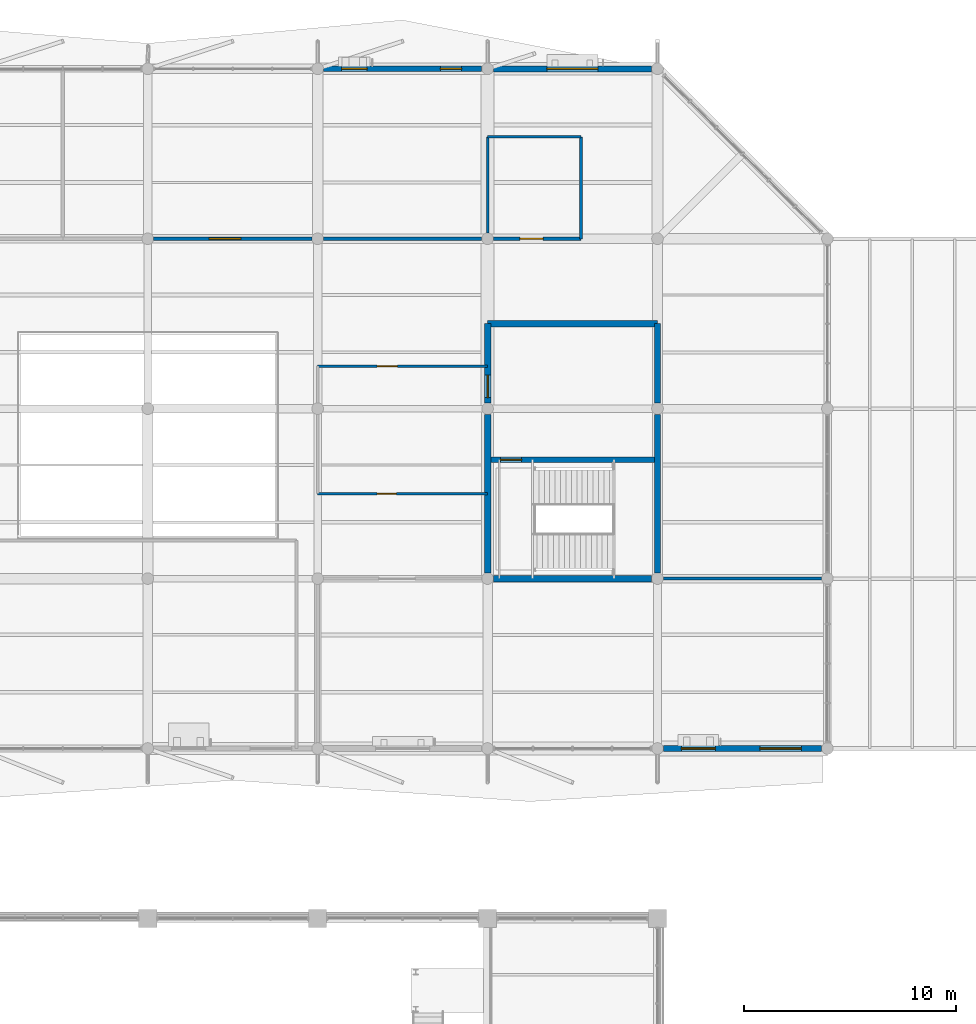
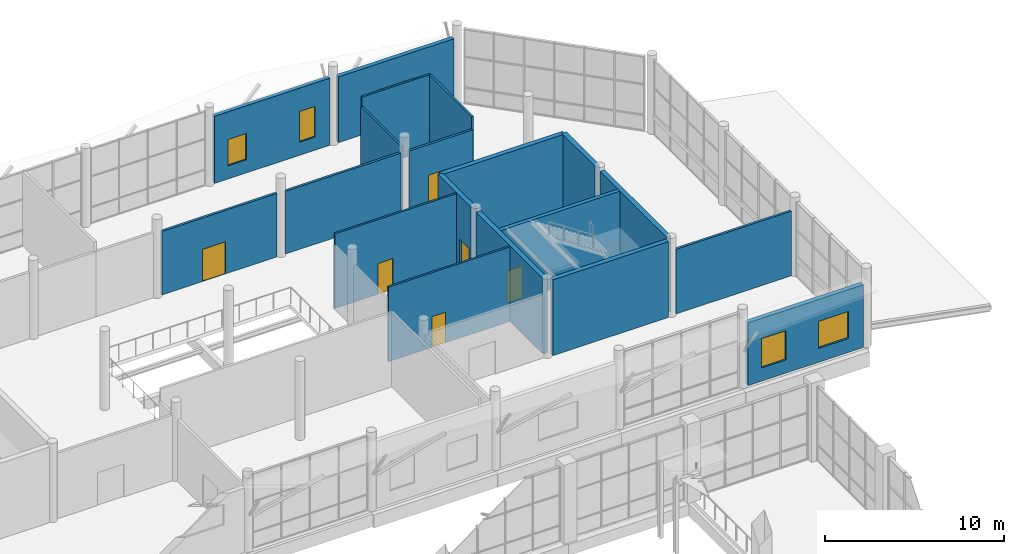
# One storey, part 111 of 122: 19 walls, 6 doors, 5 windows, 11 openings.
"""IFC4 building model written with IfcOpenShell, lengths in metres."""

from ifc_helpers import new_model, si_unit, direction, frame, frame_2d, origin, place, context, subcontext, project, spatial, rectangle, extrude, material, layer, layer_set, type_object, element, fill, save


model = new_model("IFC4")

# Units and contexts
model_context = context("Model", 3, precision=1e-05, world=origin(), true_north=direction((0.0, 1.0)))
body_context = subcontext(model_context, "Body", "Model", "MODEL_VIEW")
ifc_project = project(units=[si_unit("LENGTHUNIT", "METRE"), si_unit("AREAUNIT", "SQUARE_METRE"), si_unit("VOLUMEUNIT", "CUBIC_METRE"), si_unit("PLANEANGLEUNIT", "RADIAN"), si_unit("MASSUNIT", "GRAM", prefix="KILO")], contexts=[model_context])

# Site, building, storey
site_placement = place(None, origin())
site = spatial("IfcSite", under=ifc_project, at=site_placement, CompositionType="ELEMENT")
building_placement = place(site_placement, origin())
building = spatial("IfcBuilding", under=site, at=building_placement, Name="Tenunan Teduh Sports Hall", CompositionType="ELEMENT")
storey_placement = place(building_placement, frame((0.0, 0.0, 5.39990234375)))
storey = spatial("IfcBuildingStorey", under=building, at=storey_placement, Name="L01", CompositionType="ELEMENT", Elevation=5.39990234375)

# Wall, opening, door
ifc_material_1 = material(Name="Concrete C40/50", Category="concrete")
ifc_layer_1 = layer(ifc_material_1, 0.25)
ifc_layer_set_1 = layer_set([ifc_layer_1], Name="Concrete C40/50")
wall_type_1 = type_object("IfcWallType", Name="WL-COR-250", PredefinedType="SOLIDWALL", material=ifc_layer_set_1)
wall_1_placement = place(storey_placement, frame((146.14990234375, 99.60009765625, 0.0), z_axis=(0.0, 0.0, 1.0), x_axis=(1.0, 0.0, 0.0)))
wall_1 = element("IfcWall", 1, at=wall_1_placement, inside=storey, type_object=wall_type_1, Name="WL-COR-L01-210", PredefinedType="SOLIDWALL", context=body_context, shape_type="SweptSolid", body=[
    extrude(rectangle(XDim=7.7001953125, YDim=0.25, at=frame_2d((3.85009765625, 0.0))), origin(), (0.0, 0.0, 1.0), 5.18017578125),
])
opening_1_placement = place(wall_1_placement, frame((0.449951171875, 0.0, 0.0)))
opening_1 = element("IfcOpeningElement", 2, at=opening_1_placement, cuts=wall_1, Name="Opening FD-01", PredefinedType="OPENING", context=body_context, shape_type="SweptSolid", body=[
    extrude(rectangle(XDim=1.0, YDim=2.199951171875, at=frame_2d((0.5, 1.10009765625))), frame((0.0, 0.135009765625, 0.0), z_axis=(0.0, -1.0, 0.0), x_axis=(1.0, 0.0, 0.0)), (0.0, 0.0, 1.0), 0.27001953125),
])
ifc_material_2 = material(Name="Fire-rated steel leaf and frame", Category="steel")
door_type_1 = type_object("IfcDoorType", Name="FDR-01", OperationType="SINGLE_SWING_LEFT", PredefinedType="DOOR", material=ifc_material_2)
door_1_placement = place(opening_1_placement, frame((1.0, 0.0, 0.0), z_axis=(0.0, 0.0, 1.0), x_axis=(-1.0, 0.0, 0.0)))
door_1 = element("IfcDoor", 3, at=door_1_placement, inside=storey, type_object=door_type_1, Name="DR-INT-L01-082", OperationType="SINGLE_SWING_LEFT", OverallHeight=2.199951171875, OverallWidth=1.0, PredefinedType="DOOR", context=body_context, shape_type="SweptSolid", body=[
    extrude(rectangle(XDim=1.0, YDim=2.199951171875, at=frame_2d((0.5, 1.10009765625))), frame((0.0, 0.02490234375, 0.0), z_axis=(0.0, -1.0, 0.0), x_axis=(1.0, 0.0, 0.0)), (0.0, 0.0, 1.0), 0.050048828125),
])
fill(opening_1, door_1)

# Wall, openings, windows
ifc_material_3 = material(Name="Precast concrete C40/50", Category="concrete")
ifc_layer_2 = layer(ifc_material_3, 0.25)
ifc_layer_set_2 = layer_set([ifc_layer_2], Name="Precast concrete C40/50")
wall_type_2 = type_object("IfcWallType", Name="WL-EXT-250", PredefinedType="SOLIDWALL", material=ifc_layer_set_2)
wall_2_placement = place(storey_placement, frame((138.27490234375, 118.0, 0.0), z_axis=(0.0, 0.0, 1.0), x_axis=(1.0, 0.0, 0.0)))
wall_2 = element("IfcWall", 4, at=wall_2_placement, inside=storey, type_object=wall_type_2, Name="WL-EXT-L01-234", PredefinedType="SOLIDWALL", context=body_context, shape_type="SweptSolid", body=[
    extrude(rectangle(XDim=7.4501953125, YDim=0.25, at=frame_2d((3.72509765625, 0.0))), origin(), (0.0, 0.0, 1.0), 4.590087890625),
])
opening_2_placement = place(wall_2_placement, frame((0.85009765625, 0.0, 0.89990234375)))
opening_2 = element("IfcOpeningElement", 5, at=opening_2_placement, cuts=wall_2, Name="Opening W-01", PredefinedType="OPENING", context=body_context, shape_type="SweptSolid", body=[
    extrude(rectangle(XDim=1.199951171875, YDim=1.800048828125, at=frame_2d((0.60009765625, 0.89990234375))), frame((0.0, 0.135009765625, 0.0), z_axis=(0.0, -1.0, 0.0), x_axis=(1.0, 0.0, 0.0)), (0.0, 0.0, 1.0), 0.27001953125),
])
opening_3_placement = place(wall_2_placement, frame((5.5, 0.0, 0.89990234375)))
opening_3 = element("IfcOpeningElement", 6, at=opening_3_placement, cuts=wall_2, Name="Opening W-13", PredefinedType="OPENING", context=body_context, shape_type="SweptSolid", body=[
    extrude(rectangle(XDim=1.0, YDim=2.10009765625, at=frame_2d((0.5, 1.050048828125))), frame((0.0, 0.135009765625, 0.0), z_axis=(0.0, -1.0, 0.0), x_axis=(1.0, 0.0, 0.0)), (0.0, 0.0, 1.0), 0.27001953125),
])
ifc_material_4 = material(Name="Thermally broken aluminium and Low-E glazing", Category="aluminium")
window_type_1 = type_object("IfcWindowType", Name="WIN-01", PartitioningType="SINGLE_PANEL", PredefinedType="WINDOW", material=ifc_material_4)
window_1_placement = place(opening_2_placement, origin())
window_1 = element("IfcWindow", 7, at=window_1_placement, inside=storey, type_object=window_type_1, Name="WIN-L01-143", OverallHeight=1.800048828125, OverallWidth=1.199951171875, PartitioningType="SINGLE_PANEL", PredefinedType="WINDOW", context=body_context, shape_type="SweptSolid", body=[
    extrude(rectangle(XDim=1.199951171875, YDim=1.800048828125, at=frame_2d((0.60009765625, 0.89990234375))), frame((0.0, 0.030029296875, 0.0), z_axis=(0.0, -1.0, 0.0), x_axis=(1.0, 0.0, 0.0)), (0.0, 0.0, 1.0), 0.06005859375),
])
fill(opening_2, window_1)
ifc_material_5 = material(Name="Thermally broken aluminium and Low-E glazing", Category="aluminium")
window_type_2 = type_object("IfcWindowType", Name="WIN-13", PartitioningType="SINGLE_PANEL", PredefinedType="WINDOW", material=ifc_material_5)
window_2_placement = place(opening_3_placement, origin())
window_2 = element("IfcWindow", 8, at=window_2_placement, inside=storey, type_object=window_type_2, Name="WIN-L01-144", OverallHeight=2.10009765625, OverallWidth=1.0, PartitioningType="SINGLE_PANEL", PredefinedType="WINDOW", context=body_context, shape_type="SweptSolid", body=[
    extrude(rectangle(XDim=1.0, YDim=2.10009765625, at=frame_2d((0.5, 1.050048828125))), frame((0.0, 0.030029296875, 0.0), z_axis=(0.0, -1.0, 0.0), x_axis=(1.0, 0.0, 0.0)), (0.0, 0.0, 1.0), 0.06005859375),
])
fill(opening_3, window_2)

# Wall, opening, window
ifc_material_6 = material(Name="Concrete C40/50", Category="concrete")
ifc_layer_3 = layer(ifc_material_6, 0.280029296875)
ifc_layer_set_3 = layer_set([ifc_layer_3], Name="Concrete C40/50")
wall_type_3 = type_object("IfcWallType", Name="WL-EXT-280", PredefinedType="SOLIDWALL", material=ifc_layer_set_3)
wall_3_placement = place(storey_placement, frame((146.27490234375, 118.0, 0.0), z_axis=(0.0, 0.0, 1.0), x_axis=(1.0, 0.0, 0.0)))
wall_3 = element("IfcWall", 9, at=wall_3_placement, inside=storey, type_object=wall_type_3, Name="WL-EXT-L01-235", PredefinedType="SOLIDWALL", context=body_context, shape_type="SweptSolid", body=[
    extrude(rectangle(XDim=7.4501953125, YDim=0.280029296875, at=frame_2d((3.72509765625, 0.0))), origin(), (0.0, 0.0, 1.0), 4.489990234375),
])
opening_4_placement = place(wall_3_placement, frame((2.52001953125, 0.0, 0.89990234375)))
opening_4 = element("IfcOpeningElement", 10, at=opening_4_placement, cuts=wall_3, Name="Opening W-03", PredefinedType="OPENING", context=body_context, shape_type="SweptSolid", body=[
    extrude(rectangle(XDim=2.39990234375, YDim=1.800048828125, at=frame_2d((1.199951171875, 0.89990234375))), frame((0.0, 0.14990234375, 0.0), z_axis=(0.0, -1.0, 0.0), x_axis=(1.0, 0.0, 0.0)), (0.0, 0.0, 1.0), 0.300048828125),
])
ifc_material_7 = material(Name="Thermally broken aluminium and Low-E glazing", Category="aluminium")
window_type_3 = type_object("IfcWindowType", Name="WIN-03", PartitioningType="DOUBLE_PANEL_VERTICAL", PredefinedType="WINDOW", material=ifc_material_7)
window_3_placement = place(opening_4_placement, origin())
window_3 = element("IfcWindow", 11, at=window_3_placement, inside=storey, type_object=window_type_3, Name="WIN-L01-145", OverallHeight=1.800048828125, OverallWidth=2.39990234375, PartitioningType="SINGLE_PANEL", PredefinedType="WINDOW", context=body_context, shape_type="SweptSolid", body=[
    extrude(rectangle(XDim=2.39990234375, YDim=1.800048828125, at=frame_2d((1.199951171875, 0.89990234375))), frame((0.0, 0.030029296875, 0.0), z_axis=(0.0, -1.0, 0.0), x_axis=(1.0, 0.0, 0.0)), (0.0, 0.0, 1.0), 0.06005859375),
])
fill(opening_4, window_3)

# Wall, openings, windows
ifc_material_8 = material(Name="Concrete C40/50", Category="concrete")
ifc_layer_4 = layer(ifc_material_8, 0.2900390625)
ifc_layer_set_4 = layer_set([ifc_layer_4], Name="Concrete C40/50")
wall_type_4 = type_object("IfcWallType", Name="WL-EXT-290", PredefinedType="SOLIDWALL", material=ifc_layer_set_4)
wall_4_placement = place(storey_placement, frame((154.27490234375, 86.0, 0.0), z_axis=(0.0, 0.0, 1.0), x_axis=(1.0, 0.0, 0.0)))
wall_4 = element("IfcWall", 12, at=wall_4_placement, inside=storey, type_object=wall_type_4, Name="WL-EXT-L01-232", PredefinedType="SOLIDWALL", context=body_context, shape_type="SweptSolid", body=[
    extrude(rectangle(XDim=7.4501953125, YDim=0.2900390625, at=frame_2d((3.72509765625, 0.0))), origin(), (0.0, 0.0, 1.0), 4.2900390625),
])
opening_5_placement = place(wall_4_placement, frame((0.85009765625, 0.0, 0.89990234375)))
opening_5 = element("IfcOpeningElement", 13, at=opening_5_placement, cuts=wall_4, Name="Opening W-14", PredefinedType="OPENING", context=body_context, shape_type="SweptSolid", body=[
    extrude(rectangle(XDim=1.60009765625, YDim=2.0, at=frame_2d((0.800048828125, 1.0))), frame((0.0, 0.155029296875, 0.0), z_axis=(0.0, -1.0, 0.0), x_axis=(1.0, 0.0, 0.0)), (0.0, 0.0, 1.0), 0.31005859375),
])
opening_6_placement = place(wall_4_placement, frame((4.550048828125, 0.0, 0.949951171875)))
opening_6 = element("IfcOpeningElement", 14, at=opening_6_placement, cuts=wall_4, Name="Opening W-20", PredefinedType="OPENING", context=body_context, shape_type="SweptSolid", body=[
    extrude(rectangle(XDim=1.949951171875, YDim=1.85009765625, at=frame_2d((0.97509765625, 0.925048828125))), frame((0.0, 0.155029296875, 0.0), z_axis=(0.0, -1.0, 0.0), x_axis=(1.0, 0.0, 0.0)), (0.0, 0.0, 1.0), 0.31005859375),
])
ifc_material_9 = material(Name="Thermally broken aluminium and Low-E glazing", Category="aluminium")
window_type_4 = type_object("IfcWindowType", Name="WIN-14", PartitioningType="DOUBLE_PANEL_VERTICAL", PredefinedType="WINDOW", material=ifc_material_9)
window_4_placement = place(opening_5_placement, origin())
window_4 = element("IfcWindow", 15, at=window_4_placement, inside=storey, type_object=window_type_4, Name="WIN-L01-139", OverallHeight=2.0, OverallWidth=1.60009765625, PartitioningType="SINGLE_PANEL", PredefinedType="WINDOW", context=body_context, shape_type="SweptSolid", body=[
    extrude(rectangle(XDim=1.60009765625, YDim=2.0, at=frame_2d((0.800048828125, 1.0))), frame((0.0, 0.030029296875, 0.0), z_axis=(0.0, -1.0, 0.0), x_axis=(1.0, 0.0, 0.0)), (0.0, 0.0, 1.0), 0.06005859375),
])
fill(opening_5, window_4)
ifc_material_10 = material(Name="Thermally broken aluminium and Low-E glazing", Category="aluminium")
window_type_5 = type_object("IfcWindowType", Name="WIN-20", PartitioningType="DOUBLE_PANEL_VERTICAL", PredefinedType="WINDOW", material=ifc_material_10)
window_5_placement = place(opening_6_placement, origin())
window_5 = element("IfcWindow", 16, at=window_5_placement, inside=storey, type_object=window_type_5, Name="WIN-L01-140", OverallHeight=1.85009765625, OverallWidth=1.949951171875, PartitioningType="SINGLE_PANEL", PredefinedType="WINDOW", context=body_context, shape_type="SweptSolid", body=[
    extrude(rectangle(XDim=1.949951171875, YDim=1.85009765625, at=frame_2d((0.97509765625, 0.925048828125))), frame((0.0, 0.030029296875, 0.0), z_axis=(0.0, -1.0, 0.0), x_axis=(1.0, 0.0, 0.0)), (0.0, 0.0, 1.0), 0.06005859375),
])
fill(opening_6, window_5)

# Wall, opening, door
ifc_material_11 = material(Name="Moisture-resistant masonry", Category="masonry")
ifc_layer_5 = layer(ifc_material_11, 0.125)
ifc_layer_set_5 = layer_set([ifc_layer_5], Name="Moisture-resistant masonry")
wall_type_5 = type_object("IfcWallType", Name="WL-PRT-125", PredefinedType="PARTITIONING", material=ifc_layer_set_5)
wall_5_placement = place(storey_placement, frame((138.0, 98.0, 0.0), z_axis=(0.0, 0.0, 1.0), x_axis=(1.0, 0.0, 0.0)))
wall_5 = element("IfcWall", 17, at=wall_5_placement, inside=storey, type_object=wall_type_5, Name="WL-PRT-L01-400", PredefinedType="PARTITIONING", context=body_context, shape_type="SweptSolid", body=[
    extrude(rectangle(XDim=8.0, YDim=0.125, at=frame_2d((4.0, 0.0))), origin(), (0.0, 0.0, 1.0), 5.10009765625),
])
opening_7_placement = place(wall_5_placement, frame((2.800048828125, 0.0, 0.0)))
opening_7 = element("IfcOpeningElement", 18, at=opening_7_placement, cuts=wall_5, Name="Opening ID-02", PredefinedType="OPENING", context=body_context, shape_type="SweptSolid", body=[
    extrude(rectangle(XDim=0.89990234375, YDim=2.10009765625, at=frame_2d((0.449951171875, 1.050048828125))), frame((0.0, 0.072509765625, 0.0), z_axis=(0.0, -1.0, 0.0), x_axis=(1.0, 0.0, 0.0)), (0.0, 0.0, 1.0), 0.14501953125),
])
ifc_material_12 = material(Name="Moisture-resistant HPL leaf")
door_type_2 = type_object("IfcDoorType", Name="IDR-02", OperationType="SINGLE_SWING_RIGHT", PredefinedType="DOOR", material=ifc_material_12)
door_2_placement = place(opening_7_placement, frame((0.89990234375, 0.0, 0.0), z_axis=(0.0, 0.0, 1.0), x_axis=(-1.0, 0.0, 0.0)))
door_2 = element("IfcDoor", 19, at=door_2_placement, inside=storey, type_object=door_type_2, Name="DR-INT-L01-153", OperationType="SINGLE_SWING_LEFT", OverallHeight=2.10009765625, OverallWidth=0.89990234375, PredefinedType="DOOR", context=body_context, shape_type="SweptSolid", body=[
    extrude(rectangle(XDim=0.89990234375, YDim=2.10009765625, at=frame_2d((0.449951171875, 1.050048828125))), frame((0.0, 0.02490234375, 0.0), z_axis=(0.0, -1.0, 0.0), x_axis=(1.0, 0.0, 0.0)), (0.0, 0.0, 1.0), 0.050048828125),
])
fill(opening_7, door_2)

wall_6_placement = place(storey_placement, frame((138.0, 104.0, 0.0), z_axis=(0.0, 0.0, 1.0), x_axis=(1.0, 0.0, 0.0)))
wall_6 = element("IfcWall", 20, at=wall_6_placement, inside=storey, type_object=wall_type_5, Name="WL-PRT-L01-402", PredefinedType="PARTITIONING", context=body_context, shape_type="SweptSolid", body=[
    extrude(rectangle(XDim=8.0, YDim=0.125, at=frame_2d((4.0, 0.0))), origin(), (0.0, 0.0, 1.0), 5.10009765625),
])
opening_8_placement = place(wall_6_placement, frame((2.800048828125, 0.0, 0.0)))
opening_8 = element("IfcOpeningElement", 21, at=opening_8_placement, cuts=wall_6, Name="Opening ID-01", PredefinedType="OPENING", context=body_context, shape_type="SweptSolid", body=[
    extrude(rectangle(XDim=0.949951171875, YDim=2.10009765625, at=frame_2d((0.47509765625, 1.050048828125))), frame((0.0, 0.072509765625, 0.0), z_axis=(0.0, -1.0, 0.0), x_axis=(1.0, 0.0, 0.0)), (0.0, 0.0, 1.0), 0.14501953125),
])
ifc_material_13 = material(Name="Solid-core laminate timber", Category="wood")
door_type_3 = type_object("IfcDoorType", Name="IDR-01", OperationType="SINGLE_SWING_LEFT", PredefinedType="DOOR", material=ifc_material_13)
door_3_placement = place(opening_8_placement, origin())
door_3 = element("IfcDoor", 22, at=door_3_placement, inside=storey, type_object=door_type_3, Name="DR-INT-L01-154", OperationType="SINGLE_SWING_LEFT", OverallHeight=2.10009765625, OverallWidth=0.949951171875, PredefinedType="DOOR", context=body_context, shape_type="SweptSolid", body=[
    extrude(rectangle(XDim=0.949951171875, YDim=2.10009765625, at=frame_2d((0.47509765625, 1.050048828125))), frame((0.0, 0.02490234375, 0.0), z_axis=(0.0, -1.0, 0.0), x_axis=(1.0, 0.0, 0.0)), (0.0, 0.0, 1.0), 0.050048828125),
])
fill(opening_8, door_3)

# Walls
wall_7_placement = place(storey_placement, frame((146.0, 110.27490234375, 0.0), z_axis=(0.0, 0.0, 1.0), x_axis=(0.0, 1.0, 0.0)))
element("IfcWall", 23, at=wall_7_placement, inside=storey, type_object=wall_type_5, Name="WL-PRT-L01-410", PredefinedType="PARTITIONING", context=body_context, shape_type="SweptSolid", body=[
    extrude(rectangle(XDim=4.525146484375, YDim=0.125, at=frame_2d((2.2626953125, 0.0))), origin(), (0.0, 0.0, 1.0), 4.440185546875),
])
wall_8_placement = place(storey_placement, frame((150.39990234375, 110.0, 0.0), z_axis=(0.0, 0.0, 1.0), x_axis=(0.0, 1.0, 0.0)))
element("IfcWall", 24, at=wall_8_placement, inside=storey, type_object=wall_type_5, Name="WL-PRT-L01-411", PredefinedType="PARTITIONING", context=body_context, shape_type="SweptSolid", body=[
    extrude(rectangle(XDim=4.800048828125, YDim=0.125, at=frame_2d((2.39990234375, 0.0))), origin(), (0.0, 0.0, 1.0), 5.10009765625),
])
wall_9_placement = place(storey_placement, frame((146.0, 114.800048828125, 0.0), z_axis=(0.0, 0.0, 1.0), x_axis=(1.0, 0.0, 0.0)))
element("IfcWall", 25, at=wall_9_placement, inside=storey, type_object=wall_type_5, Name="WL-PRT-L01-412", PredefinedType="PARTITIONING", context=body_context, shape_type="SweptSolid", body=[
    extrude(rectangle(XDim=4.39990234375, YDim=0.125, at=frame_2d((2.199951171875, 0.0))), origin(), (0.0, 0.0, 1.0), 5.10009765625),
])
ifc_material_14 = material(Name="Acoustic stud and double plasterboard")
ifc_layer_6 = layer(ifc_material_14, 0.14990234375)
ifc_layer_set_6 = layer_set([ifc_layer_6], Name="Acoustic stud and double plasterboard")
wall_type_6 = type_object("IfcWallType", Name="WL-PRT-150", PredefinedType="PARTITIONING", material=ifc_layer_set_6)
wall_10_placement = place(storey_placement, frame((154.27490234375, 94.0, 0.0), z_axis=(0.0, 0.0, 1.0), x_axis=(1.0, 0.0, 0.0)))
element("IfcWall", 26, at=wall_10_placement, inside=storey, type_object=wall_type_6, Name="WL-PRT-L01-398", PredefinedType="PARTITIONING", context=body_context, shape_type="SweptSolid", body=[
    extrude(rectangle(XDim=7.4501953125, YDim=0.14990234375, at=frame_2d((3.72509765625, 0.0))), origin(), (0.0, 0.0, 1.0), 4.420166015625),
])

# Wall, opening, door
wall_11_placement = place(storey_placement, frame((130.27490234375, 110.0, 0.0), z_axis=(0.0, 0.0, 1.0), x_axis=(1.0, 0.0, 0.0)))
wall_11 = element("IfcWall", 27, at=wall_11_placement, inside=storey, type_object=wall_type_6, Name="WL-PRT-L01-406", PredefinedType="PARTITIONING", context=body_context, shape_type="SweptSolid", body=[
    extrude(rectangle(XDim=7.4501953125, YDim=0.14990234375, at=frame_2d((3.72509765625, 0.0))), origin(), (0.0, 0.0, 1.0), 4.340087890625),
])
opening_9_placement = place(wall_11_placement, frame((2.610107421875, 0.0, 0.0)))
opening_9 = element("IfcOpeningElement", 28, at=opening_9_placement, cuts=wall_11, Name="Opening ID-04", PredefinedType="OPENING", context=body_context, shape_type="SweptSolid", body=[
    extrude(rectangle(XDim=1.5, YDim=2.199951171875, at=frame_2d((0.75, 1.10009765625))), frame((0.0, 0.0849609375, 0.0), z_axis=(0.0, -1.0, 0.0), x_axis=(1.0, 0.0, 0.0)), (0.0, 0.0, 1.0), 0.169921875),
])
ifc_material_15 = material(Name="Acoustic studio timber pair", Category="wood")
door_type_4 = type_object("IfcDoorType", Name="IDR-04", OperationType="DOUBLE_DOOR_SINGLE_SWING", PredefinedType="DOOR", material=ifc_material_15)
door_4_placement = place(opening_9_placement, frame((1.5, 0.0, 0.0), z_axis=(0.0, 0.0, 1.0), x_axis=(-1.0, 0.0, 0.0)))
door_4 = element("IfcDoor", 29, at=door_4_placement, inside=storey, type_object=door_type_4, Name="DR-INT-L01-156", OperationType="DOUBLE_DOOR_SINGLE_SWING", OverallHeight=2.199951171875, OverallWidth=1.5, PredefinedType="DOOR", context=body_context, shape_type="SweptSolid", body=[
    extrude(rectangle(XDim=1.5, YDim=2.199951171875, at=frame_2d((0.75, 1.10009765625))), frame((0.0, 0.02490234375, 0.0), z_axis=(0.0, -1.0, 0.0), x_axis=(1.0, 0.0, 0.0)), (0.0, 0.0, 1.0), 0.050048828125),
])
fill(opening_9, door_4)

# Wall
wall_12_placement = place(storey_placement, frame((138.27490234375, 110.0, 0.0), z_axis=(0.0, 0.0, 1.0), x_axis=(1.0, 0.0, 0.0)))
element("IfcWall", 30, at=wall_12_placement, inside=storey, type_object=wall_type_6, Name="WL-PRT-L01-407", PredefinedType="PARTITIONING", context=body_context, shape_type="SweptSolid", body=[
    extrude(rectangle(XDim=7.4501953125, YDim=0.14990234375, at=frame_2d((3.72509765625, 0.0))), origin(), (0.0, 0.0, 1.0), 4.2900390625),
])

# Wall, opening, door
wall_13_placement = place(storey_placement, frame((146.27490234375, 110.0, 0.0), z_axis=(0.0, 0.0, 1.0), x_axis=(1.0, 0.0, 0.0)))
wall_13 = element("IfcWall", 31, at=wall_13_placement, inside=storey, type_object=wall_type_6, Name="WL-PRT-L01-408", PredefinedType="PARTITIONING", context=body_context, shape_type="SweptSolid", body=[
    extrude(rectangle(XDim=4.125, YDim=0.14990234375, at=frame_2d((2.0625, 0.0))), origin(), (0.0, 0.0, 1.0), 4.239990234375),
])
opening_10_placement = place(wall_13_placement, frame((1.239990234375, 0.0, 0.0)))
opening_10 = element("IfcOpeningElement", 32, at=opening_10_placement, cuts=wall_13, Name="Opening ID-06", PredefinedType="OPENING", context=body_context, shape_type="SweptSolid", body=[
    extrude(rectangle(XDim=1.10009765625, YDim=2.14990234375, at=frame_2d((0.550048828125, 1.074951171875))), frame((0.0, 0.0849609375, 0.0), z_axis=(0.0, -1.0, 0.0), x_axis=(1.0, 0.0, 0.0)), (0.0, 0.0, 1.0), 0.169921875),
])
ifc_material_16 = material(Name="Accessible pocket sliding leaf")
door_type_5 = type_object("IfcDoorType", Name="IDR-06", OperationType="SLIDING_TO_RIGHT", PredefinedType="DOOR", material=ifc_material_16)
door_5_placement = place(opening_10_placement, frame((1.10009765625, 0.0, 0.0), z_axis=(0.0, 0.0, 1.0), x_axis=(-1.0, 0.0, 0.0)))
door_5 = element("IfcDoor", 33, at=door_5_placement, inside=storey, type_object=door_type_5, Name="DR-INT-L01-157", OperationType="SLIDING_TO_RIGHT", OverallHeight=2.14990234375, OverallWidth=1.10009765625, PredefinedType="DOOR", context=body_context, shape_type="SweptSolid", body=[
    extrude(rectangle(XDim=1.10009765625, YDim=2.14990234375, at=frame_2d((0.550048828125, 1.074951171875))), frame((0.0, 0.02490234375, 0.0), z_axis=(0.0, -1.0, 0.0), x_axis=(1.0, 0.0, 0.0)), (0.0, 0.0, 1.0), 0.050048828125),
])
fill(opening_10, door_5)

# Walls
ifc_material_17 = material(Name="Concrete C40/50", Category="concrete")
ifc_layer_7 = layer(ifc_material_17, 0.300048828125)
ifc_layer_set_7 = layer_set([ifc_layer_7], Name="Concrete C40/50")
wall_type_7 = type_object("IfcWallType", Name="WL-SHR-300", PredefinedType="SHEAR", material=ifc_layer_set_7)
wall_14_placement = place(storey_placement, frame((146.27490234375, 94.0, 0.0), z_axis=(0.0, 0.0, 1.0), x_axis=(1.0, 0.0, 0.0)))
element("IfcWall", 34, at=wall_14_placement, inside=storey, type_object=wall_type_7, Name="WL-COR-L01-204", PredefinedType="SHEAR", context=body_context, shape_type="SweptSolid", body=[
    extrude(rectangle(XDim=7.4501953125, YDim=0.300048828125, at=frame_2d((3.72509765625, 0.0))), origin(), (0.0, 0.0, 1.0), 5.18017578125),
])
wall_15_placement = place(storey_placement, frame((146.0, 106.0, 0.0), z_axis=(0.0, 0.0, 1.0), x_axis=(1.0, 0.0, 0.0)))
element("IfcWall", 35, at=wall_15_placement, inside=storey, type_object=wall_type_7, Name="WL-COR-L01-205", PredefinedType="SHEAR", context=body_context, shape_type="SweptSolid", body=[
    extrude(rectangle(XDim=8.0, YDim=0.300048828125, at=frame_2d((4.0, 0.0))), origin(), (0.0, 0.0, 1.0), 5.18017578125),
])
wall_16_placement = place(storey_placement, frame((146.0, 94.27490234375, 0.0), z_axis=(0.0, 0.0, 1.0), x_axis=(0.0, 1.0, 0.0)))
element("IfcWall", 36, at=wall_16_placement, inside=storey, type_object=wall_type_7, Name="WL-COR-L01-206", PredefinedType="SHEAR", context=body_context, shape_type="SweptSolid", body=[
    extrude(rectangle(XDim=7.4501953125, YDim=0.300048828125, at=frame_2d((3.72509765625, 0.0))), origin(), (0.0, 0.0, 1.0), 5.18017578125),
])

# Wall, opening, door
wall_17_placement = place(storey_placement, frame((146.0, 102.27490234375, 0.0), z_axis=(0.0, 0.0, 1.0), x_axis=(0.0, 1.0, 0.0)))
wall_17 = element("IfcWall", 37, at=wall_17_placement, inside=storey, type_object=wall_type_7, Name="WL-COR-L01-207", PredefinedType="SHEAR", context=body_context, shape_type="SweptSolid", body=[
    extrude(rectangle(XDim=3.72509765625, YDim=0.300048828125, at=frame_2d((1.862548828125, 0.0))), origin(), (0.0, 0.0, 1.0), 5.18017578125),
])
opening_11_placement = place(wall_17_placement, frame((0.25, 0.0, 0.0)))
opening_11 = element("IfcOpeningElement", 38, at=opening_11_placement, cuts=wall_17, Name="Opening FD-02", PredefinedType="OPENING", context=body_context, shape_type="SweptSolid", body=[
    extrude(rectangle(XDim=1.050048828125, YDim=2.199951171875, at=frame_2d((0.52490234375, 1.10009765625))), frame((0.0, 0.159912109375, 0.0), z_axis=(0.0, -1.0, 0.0), x_axis=(1.0, 0.0, 0.0)), (0.0, 0.0, 1.0), 0.320068359375),
])
ifc_material_18 = material(Name="Fire-rated steel leaf and frame", Category="steel")
door_type_6 = type_object("IfcDoorType", Name="FDR-02", OperationType="SINGLE_SWING_RIGHT", PredefinedType="DOOR", material=ifc_material_18)
door_6_placement = place(opening_11_placement, origin())
door_6 = element("IfcDoor", 39, at=door_6_placement, inside=storey, type_object=door_type_6, Name="DR-INT-L01-081", OperationType="SINGLE_SWING_LEFT", OverallHeight=2.199951171875, OverallWidth=1.050048828125, PredefinedType="DOOR", context=body_context, shape_type="SweptSolid", body=[
    extrude(rectangle(XDim=1.050048828125, YDim=2.199951171875, at=frame_2d((0.52490234375, 1.10009765625))), frame((0.0, 0.02490234375, 0.0), z_axis=(0.0, -1.0, 0.0), x_axis=(1.0, 0.0, 0.0)), (0.0, 0.0, 1.0), 0.050048828125),
])
fill(opening_11, door_6)

# Walls
wall_18_placement = place(storey_placement, frame((154.0, 94.27490234375, 0.0), z_axis=(0.0, 0.0, 1.0), x_axis=(0.0, 1.0, 0.0)))
element("IfcWall", 40, at=wall_18_placement, inside=storey, type_object=wall_type_7, Name="WL-COR-L01-208", PredefinedType="SHEAR", context=body_context, shape_type="SweptSolid", body=[
    extrude(rectangle(XDim=7.4501953125, YDim=0.300048828125, at=frame_2d((3.72509765625, 0.0))), origin(), (0.0, 0.0, 1.0), 5.18017578125),
])
wall_19_placement = place(storey_placement, frame((154.0, 102.27490234375, 0.0), z_axis=(0.0, 0.0, 1.0), x_axis=(0.0, 1.0, 0.0)))
element("IfcWall", 41, at=wall_19_placement, inside=storey, type_object=wall_type_7, Name="WL-COR-L01-209", PredefinedType="SHEAR", context=body_context, shape_type="SweptSolid", body=[
    extrude(rectangle(XDim=3.72509765625, YDim=0.300048828125, at=frame_2d((1.862548828125, 0.0))), origin(), (0.0, 0.0, 1.0), 5.18017578125),
])

save(model, "model.ifc")
